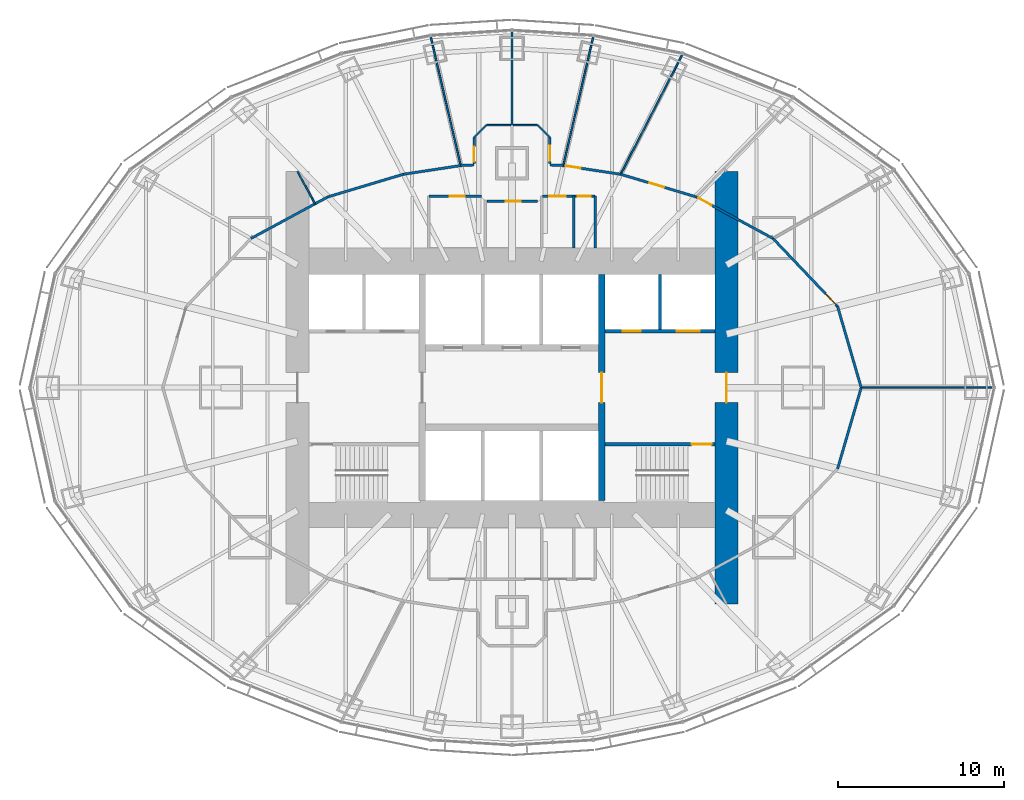
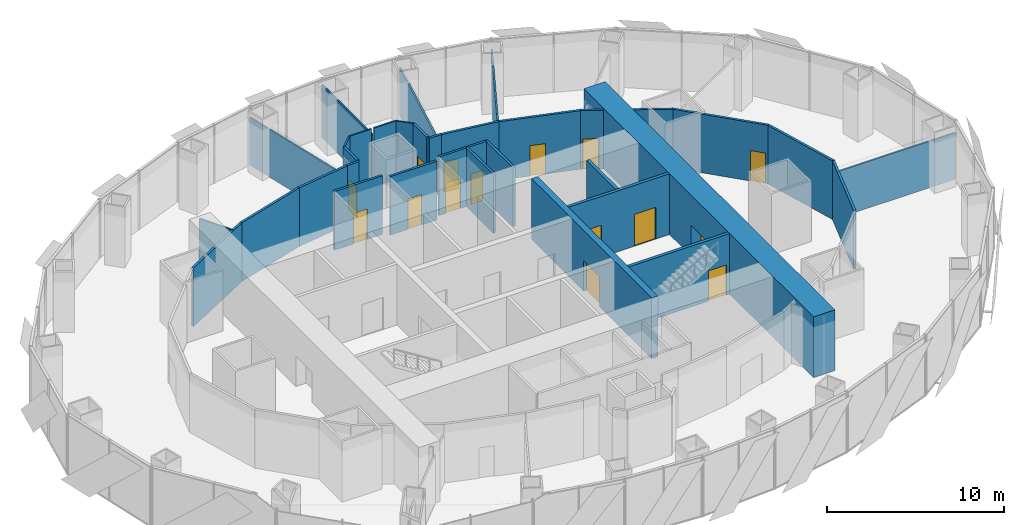
# One storey, part 12 of 18: 33 walls, 15 doors, 15 openings.
"""IFC4 building model written with IfcOpenShell, lengths in metres."""

from ifc_helpers import new_model, si_unit, direction, frame, frame_2d, origin, place, context, subcontext, project, spatial, rectangle, extrude, material, layer, layer_set, type_object, element, fill, save


model = new_model("IFC4")

# Units and contexts
model_context = context("Model", 3, precision=1e-05, world=origin(), true_north=direction((0.0, 1.0)))
body_context = subcontext(model_context, "Body", "Model", "MODEL_VIEW")
ifc_project = project(units=[si_unit("LENGTHUNIT", "METRE"), si_unit("AREAUNIT", "SQUARE_METRE"), si_unit("VOLUMEUNIT", "CUBIC_METRE"), si_unit("PLANEANGLEUNIT", "RADIAN"), si_unit("MASSUNIT", "GRAM", prefix="KILO")], contexts=[model_context])

# Site, building, storey
site_placement = place(None, origin())
site = spatial("IfcSite", under=ifc_project, at=site_placement, CompositionType="ELEMENT")
building_placement = place(site_placement, origin())
building = spatial("IfcBuilding", under=site, at=building_placement, Name="Lantaw Convention Tower", CompositionType="ELEMENT")
storey_placement = place(building_placement, frame((0.0, 0.0, 180.39990234375)))
storey = spatial("IfcBuildingStorey", under=building, at=storey_placement, Name="L42", CompositionType="ELEMENT", Elevation=180.39990234375)

# Wall, opening, door
ifc_material_1 = material(Name="Concrete C60/75", Category="concrete")
ifc_layer_1 = layer(ifc_material_1, 1.39990234375)
ifc_layer_set_1 = layer_set([ifc_layer_1], Name="Core wall 1400")
wall_type_1 = type_object("IfcWallType", Name="Core wall 1400", PredefinedType="SHEAR", material=ifc_layer_set_1)
wall_1_placement = place(storey_placement, frame((12.89990234375, -13.0, 0.0), z_axis=(0.0, 0.0, 1.0), x_axis=(0.0, 1.0, 0.0)))
wall_1 = element("IfcWall", 1, at=wall_1_placement, inside=storey, type_object=wall_type_1, Name="Core wall E", PredefinedType="SHEAR", context=body_context, shape_type="SweptSolid", body=[
    extrude(rectangle(XDim=26.0, YDim=1.39990234375, at=frame_2d((13.0, 0.0))), origin(), (0.0, 0.0, 1.0), 4.2001953125),
])
opening_1_placement = place(wall_1_placement, frame((12.10009765625, 0.0, 0.0)))
opening_1 = element("IfcOpeningElement", 2, at=opening_1_placement, cuts=wall_1, Name="Opening L42.05", PredefinedType="OPENING", context=body_context, shape_type="SweptSolid", body=[
    extrude(rectangle(XDim=1.800048828125, YDim=2.10009765625, at=frame_2d((0.89990234375, 1.050048828125))), frame((0.0, 0.7099609375, 0.0), z_axis=(0.0, -1.0, 0.0), x_axis=(1.0, 0.0, 0.0)), (0.0, 0.0, 1.0), 1.419921875),
])
ifc_material_2 = material(Name="Steel, fire rated", Category="steel")
door_type_1 = type_object("IfcDoorType", Name="Lobby double door FD90", OperationType="DOUBLE_DOOR_DOUBLE_SWING", PredefinedType="DOOR", material=ifc_material_2)
door_1_placement = place(opening_1_placement, origin())
door_1 = element("IfcDoor", 3, at=door_1_placement, inside=storey, type_object=door_type_1, Name="Firefighting lobby door", OperationType="DOUBLE_DOOR_DOUBLE_SWING", OverallHeight=2.10009765625, OverallWidth=1.800048828125, PredefinedType="DOOR", context=body_context, shape_type="SweptSolid", body=[
    extrude(rectangle(XDim=1.800048828125, YDim=2.10009765625, at=frame_2d((0.89990234375, 1.050048828125))), frame((0.0, 0.02490234375, 0.0), z_axis=(0.0, -1.0, 0.0), x_axis=(1.0, 0.0, 0.0)), (0.0, 0.0, 1.0), 0.050048828125),
])
fill(opening_1, door_1)

ifc_layer_2 = layer(ifc_material_1, 0.199951171875)
ifc_layer_set_2 = layer_set([ifc_layer_2], Name="Core wall 200")
wall_type_2 = type_object("IfcWallType", Name="Core wall 200", PredefinedType="SHEAR", material=ifc_layer_set_2)
wall_2_placement = place(storey_placement, frame((5.60009765625, -3.39990234375, 0.0), z_axis=(0.0, 0.0, 1.0), x_axis=(1.0, 0.0, 0.0)))
wall_2 = element("IfcWall", 4, at=wall_2_placement, inside=storey, type_object=wall_type_2, Name="Core wall ES", PredefinedType="SHEAR", context=body_context, shape_type="SweptSolid", body=[
    extrude(rectangle(XDim=6.599853515625, YDim=0.199951171875, at=frame_2d((3.2998046875, 0.0))), origin(), (0.0, 0.0, 1.0), 4.2001953125),
])
opening_2_placement = place(wall_2_placement, frame((5.199951171875, 0.0, 0.0)))
opening_2 = element("IfcOpeningElement", 5, at=opening_2_placement, cuts=wall_2, Name="Opening L42.03", PredefinedType="OPENING", context=body_context, shape_type="SweptSolid", body=[
    extrude(rectangle(XDim=1.199951171875, YDim=2.10009765625, at=frame_2d((0.60009765625, 1.050048828125))), frame((0.0, 0.10986328125, 0.0), z_axis=(0.0, -1.0, 0.0), x_axis=(1.0, 0.0, 0.0)), (0.0, 0.0, 1.0), 0.219970703125),
])
door_type_2 = type_object("IfcDoorType", Name="Stair door FD90", OperationType="SINGLE_SWING_RIGHT", PredefinedType="DOOR", material=ifc_material_2)
door_2_placement = place(opening_2_placement, origin())
door_2 = element("IfcDoor", 6, at=door_2_placement, inside=storey, type_object=door_type_2, Name="Exit stair door", OperationType="SINGLE_SWING_RIGHT", OverallHeight=2.10009765625, OverallWidth=1.199951171875, PredefinedType="DOOR", context=body_context, shape_type="SweptSolid", body=[
    extrude(rectangle(XDim=1.199951171875, YDim=2.10009765625, at=frame_2d((0.60009765625, 1.050048828125))), frame((0.0, 0.02490234375, 0.0), z_axis=(0.0, -1.0, 0.0), x_axis=(1.0, 0.0, 0.0)), (0.0, 0.0, 1.0), 0.050048828125),
])
fill(opening_2, door_2)

ifc_layer_3 = layer(ifc_material_1, 0.39990234375)
ifc_layer_set_3 = layer_set([ifc_layer_3], Name="Core wall 400")
wall_type_3 = type_object("IfcWallType", Name="Core wall 400", PredefinedType="SHEAR", material=ifc_layer_set_3)
wall_3_placement = place(storey_placement, frame((5.39990234375, -6.800048828125, 0.0), z_axis=(0.0, 0.0, 1.0), x_axis=(0.0, 1.0, 0.0)))
wall_3 = element("IfcWall", 7, at=wall_3_placement, inside=storey, type_object=wall_type_3, Name="Core wall XE", PredefinedType="SHEAR", context=body_context, shape_type="SweptSolid", body=[
    extrude(rectangle(XDim=13.60009765625, YDim=0.39990234375, at=frame_2d((6.800048828125, 0.0))), origin(), (0.0, 0.0, 1.0), 4.2001953125),
])
opening_3_placement = place(wall_3_placement, frame((5.89990234375, 0.0, 0.0)))
opening_3 = element("IfcOpeningElement", 8, at=opening_3_placement, cuts=wall_3, Name="Opening L42.01", PredefinedType="OPENING", context=body_context, shape_type="SweptSolid", body=[
    extrude(rectangle(XDim=1.800048828125, YDim=2.10009765625, at=frame_2d((0.89990234375, 1.050048828125))), frame((0.0, 0.2099609375, 0.0), z_axis=(0.0, -1.0, 0.0), x_axis=(1.0, 0.0, 0.0)), (0.0, 0.0, 1.0), 0.419921875),
])
door_3_placement = place(opening_3_placement, origin())
door_3 = element("IfcDoor", 9, at=door_3_placement, inside=storey, type_object=door_type_1, Name="Lift lobby door", OperationType="DOUBLE_DOOR_DOUBLE_SWING", OverallHeight=2.10009765625, OverallWidth=1.800048828125, PredefinedType="DOOR", context=body_context, shape_type="SweptSolid", body=[
    extrude(rectangle(XDim=1.800048828125, YDim=2.10009765625, at=frame_2d((0.89990234375, 1.050048828125))), frame((0.0, 0.02490234375, 0.0), z_axis=(0.0, -1.0, 0.0), x_axis=(1.0, 0.0, 0.0)), (0.0, 0.0, 1.0), 0.050048828125),
])
fill(opening_3, door_3)

# Wall
ifc_material_3 = material(Name="Gypsum board on steel studs, fire rated", Category="steel")
ifc_layer_4 = layer(ifc_material_3, 0.14990234375)
ifc_layer_set_4 = layer_set([ifc_layer_4], Name="Corridor wall 150 EI 60")
wall_type_4 = type_object("IfcWallType", Name="Corridor wall 150 EI 60", PredefinedType="PARTITIONING", material=ifc_layer_set_4)
wall_4_placement = place(storey_placement, frame((21.0, 0.0, 0.0), z_axis=(0.0, 0.0, 1.0), x_axis=(-0.279474430869, 0.960153134917, 0.0)))
element("IfcWall", 10, at=wall_4_placement, inside=storey, type_object=wall_type_4, Name="Corridor wall 150", PredefinedType="PARTITIONING", context=body_context, shape_type="SweptSolid", body=[
    extrude(rectangle(XDim=5.084228515625, YDim=0.14990234375, at=frame_2d((2.5419921875, 0.0))), origin(), (0.0, 0.0, 1.0), 4.050048828125),
])

# Wall, opening, door
wall_5_placement = place(storey_placement, frame((19.5791015625, 4.881591796875, 0.0), z_axis=(0.0, 0.0, 1.0), x_axis=(-0.688797257101, 0.72495402517, 0.0)))
wall_5 = element("IfcWall", 11, at=wall_5_placement, inside=storey, type_object=wall_type_4, Name="Corridor wall 150", PredefinedType="PARTITIONING", context=body_context, shape_type="SweptSolid", body=[
    extrude(rectangle(XDim=5.63818359375, YDim=0.14990234375, at=frame_2d((2.819091796875, 0.0))), origin(), (0.0, 0.0, 1.0), 4.050048828125),
])
opening_4_placement = place(wall_5_placement, frame((0.14990234375, 0.0, 0.0)))
opening_4 = element("IfcOpeningElement", 12, at=opening_4_placement, cuts=wall_5, Name="Opening L42.22", PredefinedType="OPENING", context=body_context, shape_type="SweptSolid", body=[
    extrude(rectangle(XDim=0.89990234375, YDim=2.10009765625, at=frame_2d((0.449951171875, 1.050048828125))), frame((0.0, 0.0849609375, 0.0), z_axis=(0.0, -1.0, 0.0), x_axis=(1.0, 0.0, 0.0)), (0.0, 0.0, 1.0), 0.169921875),
])
door_type_3 = type_object("IfcDoorType", Name="Office door 900 FD30", OperationType="SINGLE_SWING_LEFT", PredefinedType="DOOR", material=ifc_material_2)
door_4_placement = place(opening_4_placement, origin())
door_4 = element("IfcDoor", 13, at=door_4_placement, inside=storey, type_object=door_type_3, Name="Boardroom door", OperationType="SINGLE_SWING_LEFT", OverallHeight=2.10009765625, OverallWidth=0.89990234375, PredefinedType="DOOR", context=body_context, shape_type="SweptSolid", body=[
    extrude(rectangle(XDim=0.89990234375, YDim=2.10009765625, at=frame_2d((0.449951171875, 1.050048828125))), frame((0.0, 0.02490234375, 0.0), z_axis=(0.0, -1.0, 0.0), x_axis=(1.0, 0.0, 0.0)), (0.0, 0.0, 1.0), 0.050048828125),
])
fill(opening_4, door_4)

wall_6_placement = place(storey_placement, frame((15.695556640625, 8.968994140625, 0.0), z_axis=(0.0, 0.0, 1.0), x_axis=(-0.879436285334, 0.476016617397, 0.0)))
wall_6 = element("IfcWall", 14, at=wall_6_placement, inside=storey, type_object=wall_type_4, Name="Corridor wall 150", PredefinedType="PARTITIONING", context=body_context, shape_type="SweptSolid", body=[
    extrude(rectangle(XDim=5.2529296875, YDim=0.14990234375, at=frame_2d((2.62646484375, 0.0))), origin(), (0.0, 0.0, 1.0), 4.050048828125),
])
opening_5_placement = place(wall_6_placement, frame((4.202880859375, 0.0, 0.0)))
opening_5 = element("IfcOpeningElement", 15, at=opening_5_placement, cuts=wall_6, Name="Opening L42.23", PredefinedType="OPENING", context=body_context, shape_type="SweptSolid", body=[
    extrude(rectangle(XDim=0.89990234375, YDim=2.10009765625, at=frame_2d((0.449951171875, 1.050048828125))), frame((0.0, 0.0849609375, 0.0), z_axis=(0.0, -1.0, 0.0), x_axis=(1.0, 0.0, 0.0)), (0.0, 0.0, 1.0), 0.169921875),
])
door_5_placement = place(opening_5_placement, origin())
door_5 = element("IfcDoor", 16, at=door_5_placement, inside=storey, type_object=door_type_3, Name="Meeting room door", OperationType="SINGLE_SWING_LEFT", OverallHeight=2.10009765625, OverallWidth=0.89990234375, PredefinedType="DOOR", context=body_context, shape_type="SweptSolid", body=[
    extrude(rectangle(XDim=0.89990234375, YDim=2.10009765625, at=frame_2d((0.449951171875, 1.050048828125))), frame((0.0, 0.02490234375, 0.0), z_axis=(0.0, -1.0, 0.0), x_axis=(1.0, 0.0, 0.0)), (0.0, 0.0, 1.0), 0.050048828125),
])
fill(opening_5, door_5)

wall_7_placement = place(storey_placement, frame((11.075927734375, 11.469482421875, 0.0), z_axis=(0.0, 0.0, 1.0), x_axis=(-0.957933992798, 0.286988615527, 0.0)))
wall_7 = element("IfcWall", 17, at=wall_7_placement, inside=storey, type_object=wall_type_4, Name="Corridor wall 150", PredefinedType="PARTITIONING", context=body_context, shape_type="SweptSolid", body=[
    extrude(rectangle(XDim=4.73828125, YDim=0.14990234375, at=frame_2d((2.369140625, 0.0))), origin(), (0.0, 0.0, 1.0), 4.050048828125),
])
opening_6_placement = place(wall_7_placement, frame((2.023193359375, 0.0, 0.0)))
opening_6 = element("IfcOpeningElement", 18, at=opening_6_placement, cuts=wall_7, Name="Opening L42.24", PredefinedType="OPENING", context=body_context, shape_type="SweptSolid", body=[
    extrude(rectangle(XDim=0.89990234375, YDim=2.10009765625, at=frame_2d((0.449951171875, 1.050048828125))), frame((0.0, 0.0849609375, 0.0), z_axis=(0.0, -1.0, 0.0), x_axis=(1.0, 0.0, 0.0)), (0.0, 0.0, 1.0), 0.169921875),
])
door_6_placement = place(opening_6_placement, origin())
door_6 = element("IfcDoor", 19, at=door_6_placement, inside=storey, type_object=door_type_3, Name="Meeting room door", OperationType="SINGLE_SWING_LEFT", OverallHeight=2.10009765625, OverallWidth=0.89990234375, PredefinedType="DOOR", context=body_context, shape_type="SweptSolid", body=[
    extrude(rectangle(XDim=0.89990234375, YDim=2.10009765625, at=frame_2d((0.449951171875, 1.050048828125))), frame((0.0, 0.02490234375, 0.0), z_axis=(0.0, -1.0, 0.0), x_axis=(1.0, 0.0, 0.0)), (0.0, 0.0, 1.0), 0.050048828125),
])
fill(opening_6, door_6)

wall_8_placement = place(storey_placement, frame((6.536865234375, 12.829345703125, 0.0), z_axis=(0.0, 0.0, 1.0), x_axis=(-0.988668719464, 0.150113833987, 0.0)))
wall_8 = element("IfcWall", 20, at=wall_8_placement, inside=storey, type_object=wall_type_4, Name="Corridor wall 150", PredefinedType="PARTITIONING", context=body_context, shape_type="SweptSolid", body=[
    extrude(rectangle(XDim=3.493408203125, YDim=0.14990234375, at=frame_2d((1.74658203125, 0.0))), origin(), (0.0, 0.0, 1.0), 4.050048828125),
])
opening_7_placement = place(wall_8_placement, frame((2.443603515625, 0.0, 0.0)))
opening_7 = element("IfcOpeningElement", 21, at=opening_7_placement, cuts=wall_8, Name="Opening L42.25", PredefinedType="OPENING", context=body_context, shape_type="SweptSolid", body=[
    extrude(rectangle(XDim=0.89990234375, YDim=2.10009765625, at=frame_2d((0.449951171875, 1.050048828125))), frame((0.0, 0.0849609375, 0.0), z_axis=(0.0, -1.0, 0.0), x_axis=(1.0, 0.0, 0.0)), (0.0, 0.0, 1.0), 0.169921875),
])
door_7_placement = place(opening_7_placement, origin())
door_7 = element("IfcDoor", 22, at=door_7_placement, inside=storey, type_object=door_type_3, Name="Meeting room door", OperationType="SINGLE_SWING_LEFT", OverallHeight=2.10009765625, OverallWidth=0.89990234375, PredefinedType="DOOR", context=body_context, shape_type="SweptSolid", body=[
    extrude(rectangle(XDim=0.89990234375, YDim=2.10009765625, at=frame_2d((0.449951171875, 1.050048828125))), frame((0.0, 0.02490234375, 0.0), z_axis=(0.0, -1.0, 0.0), x_axis=(1.0, 0.0, 0.0)), (0.0, 0.0, 1.0), 0.050048828125),
])
fill(opening_7, door_7)

# Walls
wall_9_placement = place(storey_placement, frame((-3.0830078125, 13.353759765625, 0.0), z_axis=(0.0, 0.0, 1.0), x_axis=(-0.988668719464, -0.150113833987, 0.0)))
element("IfcWall", 23, at=wall_9_placement, inside=storey, type_object=wall_type_4, Name="Corridor wall 150", PredefinedType="PARTITIONING", context=body_context, shape_type="SweptSolid", body=[
    extrude(rectangle(XDim=3.493408203125, YDim=0.14990234375, at=frame_2d((1.74658203125, 0.0))), origin(), (0.0, 0.0, 1.0), 4.050048828125),
])
wall_10_placement = place(storey_placement, frame((-6.536865234375, 12.829345703125, 0.0), z_axis=(0.0, 0.0, 1.0), x_axis=(-0.957933992798, -0.286988615527, 0.0)))
element("IfcWall", 24, at=wall_10_placement, inside=storey, type_object=wall_type_4, Name="Corridor wall 150", PredefinedType="PARTITIONING", context=body_context, shape_type="SweptSolid", body=[
    extrude(rectangle(XDim=4.73828125, YDim=0.14990234375, at=frame_2d((2.369140625, 0.0))), origin(), (0.0, 0.0, 1.0), 4.050048828125),
])
wall_11_placement = place(storey_placement, frame((-11.075927734375, 11.469482421875, 0.0), z_axis=(0.0, 0.0, 1.0), x_axis=(-0.879436285334, -0.476016617397, 0.0)))
element("IfcWall", 25, at=wall_11_placement, inside=storey, type_object=wall_type_4, Name="Corridor wall 150", PredefinedType="PARTITIONING", context=body_context, shape_type="SweptSolid", body=[
    extrude(rectangle(XDim=5.2529296875, YDim=0.14990234375, at=frame_2d((2.62646484375, 0.0))), origin(), (0.0, 0.0, 1.0), 4.050048828125),
])
wall_12_placement = place(storey_placement, frame((19.5791015625, -4.881591796875, 0.0), z_axis=(0.0, 0.0, 1.0), x_axis=(0.279474430869, 0.960153134917, 0.0)))
element("IfcWall", 26, at=wall_12_placement, inside=storey, type_object=wall_type_4, Name="Corridor wall 150", PredefinedType="PARTITIONING", context=body_context, shape_type="SweptSolid", body=[
    extrude(rectangle(XDim=5.084228515625, YDim=0.14990234375, at=frame_2d((2.5419921875, 0.0))), origin(), (0.0, 0.0, 1.0), 4.050048828125),
])
for number, where, z_axis, x_axis, name in (
    (27, (3.0830078125, 13.353759765625, 0.0), (0.0, 0.0, 1.0), (-0.998878614804, 0.04734461836, 0.0), "Corridor wall 150"),
    (28, (-2.294921875, 13.39111328125, 0.0), (0.0, 0.0, 1.0), (-0.998878614804, -0.04734461836, 0.0), "Corridor wall 150"),
):
    element("IfcWall", number, at=place(storey_placement, frame(where, z_axis=z_axis, x_axis=x_axis)), inside=storey, type_object=wall_type_4, Name=name, PredefinedType="PARTITIONING", context=body_context, shape_type="SweptSolid", body=[
        extrude(rectangle(XDim=0.7890625, YDim=0.14990234375, at=frame_2d((0.39453125, 0.0))), origin(), (0.0, 0.0, 1.0), 4.050048828125),
    ])

# Wall, opening, door
wall_13_placement = place(storey_placement, frame((2.284912109375, 15.0322265625, 0.0), z_axis=(0.0, 0.0, 1.0), x_axis=(0.0, -1.0, 0.0)))
wall_13 = element("IfcWall", 29, at=wall_13_placement, inside=storey, type_object=wall_type_4, Name="Corridor wall 150", PredefinedType="PARTITIONING", context=body_context, shape_type="SweptSolid", body=[
    extrude(rectangle(XDim=1.53955078125, YDim=0.14990234375, at=frame_2d((0.769775390625, 0.0))), origin(), (0.0, 0.0, 1.0), 4.050048828125),
])
opening_8_placement = place(wall_13_placement, frame((0.5, 0.0, 0.0)))
opening_8 = element("IfcOpeningElement", 30, at=opening_8_placement, cuts=wall_13, Name="Opening L42.26", PredefinedType="OPENING", context=body_context, shape_type="SweptSolid", body=[
    extrude(rectangle(XDim=0.89990234375, YDim=2.10009765625, at=frame_2d((0.449951171875, 1.050048828125))), frame((0.0, 0.0849609375, 0.0), z_axis=(0.0, -1.0, 0.0), x_axis=(1.0, 0.0, 0.0)), (0.0, 0.0, 1.0), 0.169921875),
])
door_8_placement = place(opening_8_placement, origin())
door_8 = element("IfcDoor", 31, at=door_8_placement, inside=storey, type_object=door_type_3, Name="Training room door", OperationType="SINGLE_SWING_LEFT", OverallHeight=2.10009765625, OverallWidth=0.89990234375, PredefinedType="DOOR", context=body_context, shape_type="SweptSolid", body=[
    extrude(rectangle(XDim=0.89990234375, YDim=2.10009765625, at=frame_2d((0.449951171875, 1.050048828125))), frame((0.0, 0.02490234375, 0.0), z_axis=(0.0, -1.0, 0.0), x_axis=(1.0, 0.0, 0.0)), (0.0, 0.0, 1.0), 0.050048828125),
])
fill(opening_8, door_8)

wall_14_placement = place(storey_placement, frame((-2.284912109375, 13.49267578125, 0.0), z_axis=(0.0, 0.0, 1.0), x_axis=(0.0, 1.0, 0.0)))
wall_14 = element("IfcWall", 32, at=wall_14_placement, inside=storey, type_object=wall_type_4, Name="Corridor wall 150", PredefinedType="PARTITIONING", context=body_context, shape_type="SweptSolid", body=[
    extrude(rectangle(XDim=1.53955078125, YDim=0.14990234375, at=frame_2d((0.769775390625, 0.0))), origin(), (0.0, 0.0, 1.0), 4.050048828125),
])
opening_9_placement = place(wall_14_placement, frame((0.10009765625, 0.0, 0.0)))
opening_9 = element("IfcOpeningElement", 33, at=opening_9_placement, cuts=wall_14, Name="Opening L42.27", PredefinedType="OPENING", context=body_context, shape_type="SweptSolid", body=[
    extrude(rectangle(XDim=0.89990234375, YDim=2.10009765625, at=frame_2d((0.449951171875, 1.050048828125))), frame((0.0, 0.0849609375, 0.0), z_axis=(0.0, -1.0, 0.0), x_axis=(1.0, 0.0, 0.0)), (0.0, 0.0, 1.0), 0.169921875),
])
door_9_placement = place(opening_9_placement, origin())
door_9 = element("IfcDoor", 34, at=door_9_placement, inside=storey, type_object=door_type_3, Name="Pantry door", OperationType="SINGLE_SWING_LEFT", OverallHeight=2.10009765625, OverallWidth=0.89990234375, PredefinedType="DOOR", context=body_context, shape_type="SweptSolid", body=[
    extrude(rectangle(XDim=0.89990234375, YDim=2.10009765625, at=frame_2d((0.449951171875, 1.050048828125))), frame((0.0, 0.02490234375, 0.0), z_axis=(0.0, -1.0, 0.0), x_axis=(1.0, 0.0, 0.0)), (0.0, 0.0, 1.0), 0.050048828125),
])
fill(opening_9, door_9)

# Walls
ifc_material_4 = material(Name="Gypsum board on steel studs, acoustic", Category="steel")
ifc_layer_5 = layer(ifc_material_4, 0.10009765625)
ifc_layer_set_5 = layer_set([ifc_layer_5], Name="Office partition 100")
wall_type_5 = type_object("IfcWallType", Name="Office partition 100", PredefinedType="PARTITIONING", material=ifc_layer_set_5)
wall_15_placement = place(storey_placement, frame((28.944091796875, 0.0, 0.0), z_axis=(0.0, 0.0, 1.0), x_axis=(-1.0, 0.0, 0.0)))
element("IfcWall", 35, at=wall_15_placement, inside=storey, type_object=wall_type_5, Name="Office partition 100", PredefinedType="PARTITIONING", context=body_context, shape_type="SweptSolid", body=[
    extrude(rectangle(XDim=7.944091796875, YDim=0.10009765625, at=frame_2d((3.97216796875, 0.0))), origin(), (0.0, 0.0, 1.0), 3.204345703125),
])
wall_16_placement = place(storey_placement, frame((10.253173828125, 20.0517578125, 0.0), z_axis=(0.0, 0.0, 1.0), x_axis=(-0.457535449567, -0.889191381194, 0.0)))
element("IfcWall", 36, at=wall_16_placement, inside=storey, type_object=wall_type_5, Name="Office partition 100", PredefinedType="PARTITIONING", context=body_context, shape_type="SweptSolid", body=[
    extrude(rectangle(XDim=8.12255859375, YDim=0.10009765625, at=frame_2d((4.061279296875, 0.0))), origin(), (0.0, 0.0, 1.0), 3.34912109375),
])
for number, where, z_axis, x_axis, name in (
    (37, (4.89697265625, 21.134765625, 0.0), (0.0, 0.0, 1.0), (-0.227039313577, -0.973885593943, 0.0), "Office partition 100"),
    (38, (-4.89697265625, 21.134765625, 0.0), (0.0, 0.0, 1.0), (0.227039313577, -0.973885593943, 0.0), "Office partition 100"),
):
    element("IfcWall", number, at=place(storey_placement, frame(where, z_axis=z_axis, x_axis=x_axis)), inside=storey, type_object=wall_type_5, Name=name, PredefinedType="PARTITIONING", context=body_context, shape_type="SweptSolid", body=[
        extrude(rectangle(XDim=7.98974609375, YDim=0.10009765625, at=frame_2d((3.994873046875, 0.0))), origin(), (0.0, 0.0, 1.0), 3.293212890625),
    ])
wall_17_placement = place(storey_placement, frame((-12.89990234375, 13.0, 0.0), z_axis=(0.0, 0.0, 1.0), x_axis=(0.475998959765, -0.879445842734, 0.0)))
element("IfcWall", 39, at=wall_17_placement, inside=storey, type_object=wall_type_5, Name="Office partition 100", PredefinedType="PARTITIONING", context=body_context, shape_type="SweptSolid", body=[
    extrude(rectangle(XDim=2.214111328125, YDim=0.10009765625, at=frame_2d((1.10693359375, 0.0))), origin(), (0.0, 0.0, 1.0), 4.050048828125),
])
wall_18_placement = place(storey_placement, frame((0.0, 21.44482421875, 0.0), z_axis=(0.0, 0.0, 1.0), x_axis=(0.0, -1.0, 0.0)))
element("IfcWall", 40, at=wall_18_placement, inside=storey, type_object=wall_type_5, Name="Office partition 100", PredefinedType="PARTITIONING", context=body_context, shape_type="SweptSolid", body=[
    extrude(rectangle(XDim=5.64990234375, YDim=0.10009765625, at=frame_2d((2.824951171875, 0.0))), origin(), (0.0, 0.0, 1.0), 3.646240234375),
])
wall_19_placement = place(storey_placement, frame((0.078125, 15.784912109375, 0.0), z_axis=(0.0, 0.0, 1.0), x_axis=(1.0, 0.0, 0.0)))
element("IfcWall", 41, at=wall_19_placement, inside=storey, type_object=wall_type_5, Name="Office partition 100", PredefinedType="PARTITIONING", context=body_context, shape_type="SweptSolid", body=[
    extrude(rectangle(XDim=1.4541015625, YDim=0.10009765625, at=frame_2d((0.72705078125, 0.0))), origin(), (0.0, 0.0, 1.0), 4.050048828125),
])
for number, where, z_axis, x_axis, name in (
    (42, (1.5322265625, 15.784912109375, 0.0), (0.0, 0.0, 1.0), (0.707106781187, -0.707106781187, 0.0), "Office partition 100"),
    (43, (-2.284912109375, 15.0322265625, 0.0), (0.0, 0.0, 1.0), (0.707106781187, 0.707106781187, 0.0), "Office partition 100"),
):
    element("IfcWall", number, at=place(storey_placement, frame(where, z_axis=z_axis, x_axis=x_axis)), inside=storey, type_object=wall_type_5, Name=name, PredefinedType="PARTITIONING", context=body_context, shape_type="SweptSolid", body=[
        extrude(rectangle(XDim=1.064453125, YDim=0.10009765625, at=frame_2d((0.5322265625, 0.0))), origin(), (0.0, 0.0, 1.0), 4.050048828125),
    ])
wall_20_placement = place(storey_placement, frame((-1.5322265625, 15.784912109375, 0.0), z_axis=(0.0, 0.0, 1.0), x_axis=(1.0, 0.0, 0.0)))
element("IfcWall", 44, at=wall_20_placement, inside=storey, type_object=wall_type_5, Name="Office partition 100", PredefinedType="PARTITIONING", context=body_context, shape_type="SweptSolid", body=[
    extrude(rectangle(XDim=1.4541015625, YDim=0.10009765625, at=frame_2d((0.72705078125, 0.0))), origin(), (0.0, 0.0, 1.0), 4.050048828125),
])

# Wall, openings, doors
ifc_material_5 = material(Name="Concrete blockwork, fire rated", Category="masonry")
ifc_layer_6 = layer(ifc_material_5, 0.199951171875)
ifc_layer_set_6 = layer_set([ifc_layer_6], Name="Shaft wall 200")
wall_type_6 = type_object("IfcWallType", Name="Shaft wall 200", PredefinedType="SOLIDWALL", material=ifc_layer_set_6)
wall_21_placement = place(storey_placement, frame((12.199951171875, 3.39990234375, 0.0), z_axis=(0.0, 0.0, 1.0), x_axis=(-1.0, 0.0, 0.0)))
wall_21 = element("IfcWall", 45, at=wall_21_placement, inside=storey, type_object=wall_type_6, Name="Shaft wall EN", PredefinedType="SOLIDWALL", context=body_context, shape_type="SweptSolid", body=[
    extrude(rectangle(XDim=6.599853515625, YDim=0.199951171875, at=frame_2d((3.2998046875, 0.0))), origin(), (0.0, 0.0, 1.0), 4.2001953125),
])
opening_10_placement = place(wall_21_placement, frame((4.449951171875, 0.0, 0.0)))
opening_10 = element("IfcOpeningElement", 46, at=opening_10_placement, cuts=wall_21, Name="Opening L42.12", PredefinedType="OPENING", context=body_context, shape_type="SweptSolid", body=[
    extrude(rectangle(XDim=1.10009765625, YDim=2.199951171875, at=frame_2d((0.550048828125, 1.10009765625))), frame((0.0, 0.10986328125, 0.0), z_axis=(0.0, -1.0, 0.0), x_axis=(1.0, 0.0, 0.0)), (0.0, 0.0, 1.0), 0.219970703125),
])
opening_11_placement = place(wall_21_placement, frame((0.89990234375, 0.0, 0.0)))
opening_11 = element("IfcOpeningElement", 47, at=opening_11_placement, cuts=wall_21, Name="Opening L42.13", PredefinedType="OPENING", context=body_context, shape_type="SweptSolid", body=[
    extrude(rectangle(XDim=1.39990234375, YDim=2.199951171875, at=frame_2d((0.699951171875, 1.10009765625))), frame((0.0, 0.10986328125, 0.0), z_axis=(0.0, -1.0, 0.0), x_axis=(1.0, 0.0, 0.0)), (0.0, 0.0, 1.0), 0.219970703125),
])
ifc_material_6 = material(Name="Stainless steel", Category="steel")
door_type_4 = type_object("IfcDoorType", Name="Lift landing door 1100", OperationType="DOUBLE_DOOR_SLIDING", PredefinedType="DOOR", material=ifc_material_6)
door_10_placement = place(opening_10_placement, origin())
door_10 = element("IfcDoor", 48, at=door_10_placement, inside=storey, type_object=door_type_4, Name="Lift landing door FF2", OperationType="DOUBLE_DOOR_SLIDING", OverallHeight=2.199951171875, OverallWidth=1.10009765625, PredefinedType="DOOR", context=body_context, shape_type="SweptSolid", body=[
    extrude(rectangle(XDim=1.10009765625, YDim=2.199951171875, at=frame_2d((0.550048828125, 1.10009765625))), frame((0.0, 0.02490234375, 0.0), z_axis=(0.0, -1.0, 0.0), x_axis=(1.0, 0.0, 0.0)), (0.0, 0.0, 1.0), 0.050048828125),
])
fill(opening_10, door_10)
door_type_5 = type_object("IfcDoorType", Name="Lift landing door 1400", OperationType="DOUBLE_DOOR_SLIDING", PredefinedType="DOOR", material=ifc_material_6)
door_11_placement = place(opening_11_placement, origin())
door_11 = element("IfcDoor", 49, at=door_11_placement, inside=storey, type_object=door_type_5, Name="Lift landing door SV2", OperationType="DOUBLE_DOOR_SLIDING", OverallHeight=2.199951171875, OverallWidth=1.39990234375, PredefinedType="DOOR", context=body_context, shape_type="SweptSolid", body=[
    extrude(rectangle(XDim=1.39990234375, YDim=2.199951171875, at=frame_2d((0.699951171875, 1.10009765625))), frame((0.0, 0.02490234375, 0.0), z_axis=(0.0, -1.0, 0.0), x_axis=(1.0, 0.0, 0.0)), (0.0, 0.0, 1.0), 0.050048828125),
])
fill(opening_11, door_11)

# Walls
wall_22_placement = place(storey_placement, frame((8.89990234375, 3.5, 0.0), z_axis=(0.0, 0.0, 1.0), x_axis=(0.0, 1.0, 0.0)))
element("IfcWall", 50, at=wall_22_placement, inside=storey, type_object=wall_type_6, Name="Shaft wall ED", PredefinedType="SOLIDWALL", context=body_context, shape_type="SweptSolid", body=[
    extrude(rectangle(XDim=3.300048828125, YDim=0.199951171875, at=frame_2d((1.64990234375, 0.0))), origin(), (0.0, 0.0, 1.0), 4.2001953125),
])
ifc_material_7 = material(Name="Concrete blockwork", Category="masonry")
ifc_layer_7 = layer(ifc_material_7, 0.14990234375)
ifc_layer_set_7 = layer_set([ifc_layer_7], Name="WC wall 150")
wall_type_7 = type_object("IfcWallType", Name="WC wall 150", PredefinedType="SOLIDWALL", material=ifc_layer_set_7)
for number, where, z_axis, x_axis, name in (
    (51, (5.0, 8.39990234375, 0.0), (0.0, 0.0, 1.0), (0.0, 1.0, 0.0), "WC wall 150"),
    (52, (3.699951171875, 8.39990234375, 0.0), (0.0, 0.0, 1.0), (0.0, 1.0, 0.0), "WC wall 150"),
):
    element("IfcWall", number, at=place(storey_placement, frame(where, z_axis=z_axis, x_axis=x_axis)), inside=storey, type_object=wall_type_7, Name=name, PredefinedType="SOLIDWALL", context=body_context, shape_type="SweptSolid", body=[
        extrude(rectangle(XDim=3.112060546875, YDim=0.14990234375, at=frame_2d((1.55615234375, 0.0))), origin(), (0.0, 0.0, 1.0), 4.050048828125),
    ])

# Wall, opening, door
wall_23_placement = place(storey_placement, frame((-5.0, 11.511962890625, 0.0), z_axis=(0.0, 0.0, 1.0), x_axis=(1.0, 0.0, 0.0)))
wall_23 = element("IfcWall", 53, at=wall_23_placement, inside=storey, type_object=wall_type_7, Name="WC wall 150", PredefinedType="SOLIDWALL", context=body_context, shape_type="SweptSolid", body=[
    extrude(rectangle(XDim=3.156494140625, YDim=0.14990234375, at=frame_2d((1.578125, 0.0))), origin(), (0.0, 0.0, 1.0), 4.050048828125),
])
opening_12_placement = place(wall_23_placement, frame((1.25, 0.0, 0.0)))
opening_12 = element("IfcOpeningElement", 54, at=opening_12_placement, cuts=wall_23, Name="Opening L42.14", PredefinedType="OPENING", context=body_context, shape_type="SweptSolid", body=[
    extrude(rectangle(XDim=0.89990234375, YDim=2.10009765625, at=frame_2d((0.449951171875, 1.050048828125))), frame((0.0, 0.0849609375, 0.0), z_axis=(0.0, -1.0, 0.0), x_axis=(1.0, 0.0, 0.0)), (0.0, 0.0, 1.0), 0.169921875),
])
ifc_material_8 = material(Name="Timber", Category="wood")
door_type_6 = type_object("IfcDoorType", Name="WC door 900", OperationType="SINGLE_SWING_LEFT", PredefinedType="DOOR", material=ifc_material_8)
door_12_placement = place(opening_12_placement, origin())
door_12 = element("IfcDoor", 55, at=door_12_placement, inside=storey, type_object=door_type_6, Name="Male WC door", OperationType="SINGLE_SWING_LEFT", OverallHeight=2.10009765625, OverallWidth=0.89990234375, PredefinedType="DOOR", context=body_context, shape_type="SweptSolid", body=[
    extrude(rectangle(XDim=0.89990234375, YDim=2.10009765625, at=frame_2d((0.449951171875, 1.050048828125))), frame((0.0, 0.02490234375, 0.0), z_axis=(0.0, -1.0, 0.0), x_axis=(1.0, 0.0, 0.0)), (0.0, 0.0, 1.0), 0.050048828125),
])
fill(opening_12, door_12)

# Wall, openings, doors
wall_24_placement = place(storey_placement, frame((1.843505859375, 11.511962890625, 0.0), z_axis=(0.0, 0.0, 1.0), x_axis=(1.0, 0.0, 0.0)))
wall_24 = element("IfcWall", 56, at=wall_24_placement, inside=storey, type_object=wall_type_7, Name="WC wall 150", PredefinedType="SOLIDWALL", context=body_context, shape_type="SweptSolid", body=[
    extrude(rectangle(XDim=3.156494140625, YDim=0.14990234375, at=frame_2d((1.578125, 0.0))), origin(), (0.0, 0.0, 1.0), 4.050048828125),
])
opening_13_placement = place(wall_24_placement, frame((0.39990234375, 0.0, 0.0)))
opening_13 = element("IfcOpeningElement", 57, at=opening_13_placement, cuts=wall_24, Name="Opening L42.16", PredefinedType="OPENING", context=body_context, shape_type="SweptSolid", body=[
    extrude(rectangle(XDim=1.0, YDim=2.10009765625, at=frame_2d((0.5, 1.050048828125))), frame((0.0, 0.0849609375, 0.0), z_axis=(0.0, -1.0, 0.0), x_axis=(1.0, 0.0, 0.0)), (0.0, 0.0, 1.0), 0.169921875),
])
opening_14_placement = place(wall_24_placement, frame((2.10009765625, 0.0, 0.0)))
opening_14 = element("IfcOpeningElement", 58, at=opening_14_placement, cuts=wall_24, Name="Opening L42.17", PredefinedType="OPENING", context=body_context, shape_type="SweptSolid", body=[
    extrude(rectangle(XDim=0.800048828125, YDim=2.10009765625, at=frame_2d((0.39990234375, 1.050048828125))), frame((0.0, 0.0849609375, 0.0), z_axis=(0.0, -1.0, 0.0), x_axis=(1.0, 0.0, 0.0)), (0.0, 0.0, 1.0), 0.169921875),
])
door_type_7 = type_object("IfcDoorType", Name="Accessible WC door 1000", OperationType="SINGLE_SWING_LEFT", PredefinedType="DOOR", material=ifc_material_8)
door_13_placement = place(opening_13_placement, origin())
door_13 = element("IfcDoor", 59, at=door_13_placement, inside=storey, type_object=door_type_7, Name="Accessible WC door", OperationType="SINGLE_SWING_LEFT", OverallHeight=2.10009765625, OverallWidth=1.0, PredefinedType="DOOR", context=body_context, shape_type="SweptSolid", body=[
    extrude(rectangle(XDim=1.0, YDim=2.10009765625, at=frame_2d((0.5, 1.050048828125))), frame((0.0, 0.02490234375, 0.0), z_axis=(0.0, -1.0, 0.0), x_axis=(1.0, 0.0, 0.0)), (0.0, 0.0, 1.0), 0.050048828125),
])
fill(opening_13, door_13)
door_type_8 = type_object("IfcDoorType", Name="WC door 800", OperationType="SINGLE_SWING_LEFT", PredefinedType="DOOR", material=ifc_material_8)
door_14_placement = place(opening_14_placement, origin())
door_14 = element("IfcDoor", 60, at=door_14_placement, inside=storey, type_object=door_type_8, Name="Cleaner's store door", OperationType="SINGLE_SWING_LEFT", OverallHeight=2.10009765625, OverallWidth=0.800048828125, PredefinedType="DOOR", context=body_context, shape_type="SweptSolid", body=[
    extrude(rectangle(XDim=0.800048828125, YDim=2.10009765625, at=frame_2d((0.39990234375, 1.050048828125))), frame((0.0, 0.02490234375, 0.0), z_axis=(0.0, -1.0, 0.0), x_axis=(1.0, 0.0, 0.0)), (0.0, 0.0, 1.0), 0.050048828125),
])
fill(opening_14, door_14)

# Wall, opening, door
wall_25_placement = place(storey_placement, frame((1.5322265625, 11.215087890625, 0.0), z_axis=(0.0, 0.0, 1.0), x_axis=(-1.0, 0.0, 0.0)))
wall_25 = element("IfcWall", 61, at=wall_25_placement, inside=storey, type_object=wall_type_7, Name="WC wall 150", PredefinedType="SOLIDWALL", context=body_context, shape_type="SweptSolid", body=[
    extrude(rectangle(XDim=3.02734375, YDim=0.14990234375, at=frame_2d((1.513671875, 0.0))), origin(), (0.0, 0.0, 1.0), 4.050048828125),
])
opening_15_placement = place(wall_25_placement, frame((1.0, 0.0, 0.0)))
opening_15 = element("IfcOpeningElement", 62, at=opening_15_placement, cuts=wall_25, Name="Opening L42.15", PredefinedType="OPENING", context=body_context, shape_type="SweptSolid", body=[
    extrude(rectangle(XDim=0.89990234375, YDim=2.10009765625, at=frame_2d((0.449951171875, 1.050048828125))), frame((0.0, 0.0849609375, 0.0), z_axis=(0.0, -1.0, 0.0), x_axis=(1.0, 0.0, 0.0)), (0.0, 0.0, 1.0), 0.169921875),
])
door_15_placement = place(opening_15_placement, origin())
door_15 = element("IfcDoor", 63, at=door_15_placement, inside=storey, type_object=door_type_6, Name="Female WC door", OperationType="SINGLE_SWING_LEFT", OverallHeight=2.10009765625, OverallWidth=0.89990234375, PredefinedType="DOOR", context=body_context, shape_type="SweptSolid", body=[
    extrude(rectangle(XDim=0.89990234375, YDim=2.10009765625, at=frame_2d((0.449951171875, 1.050048828125))), frame((0.0, 0.02490234375, 0.0), z_axis=(0.0, -1.0, 0.0), x_axis=(1.0, 0.0, 0.0)), (0.0, 0.0, 1.0), 0.050048828125),
])
fill(opening_15, door_15)

save(model, "model.ifc")
